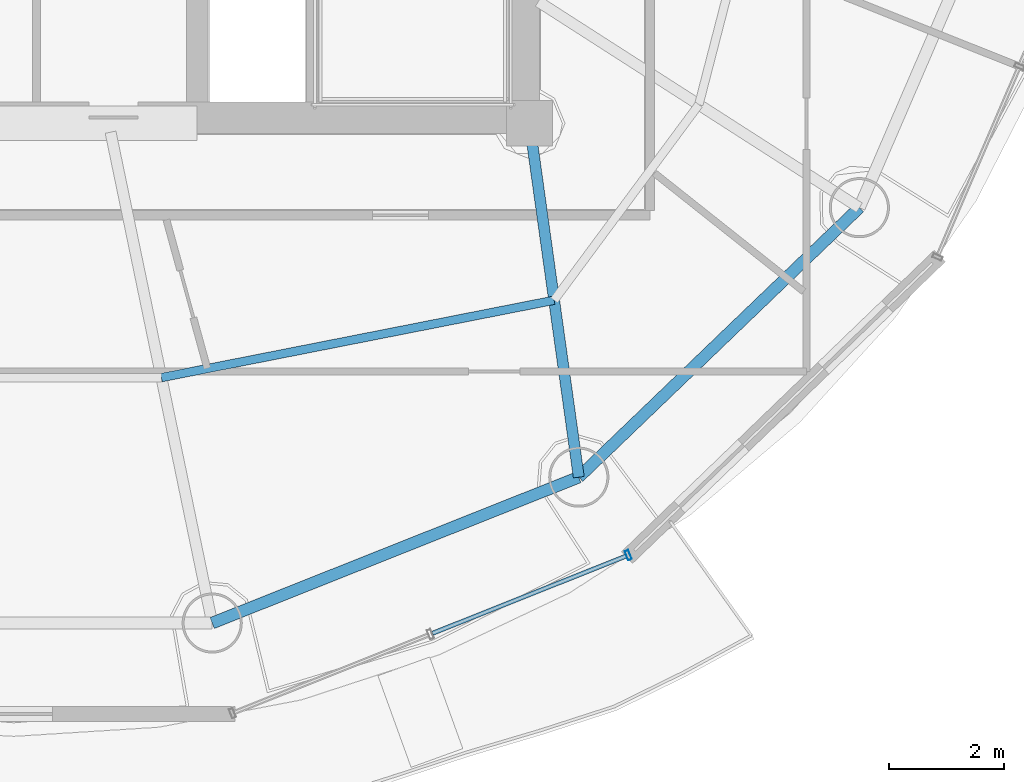
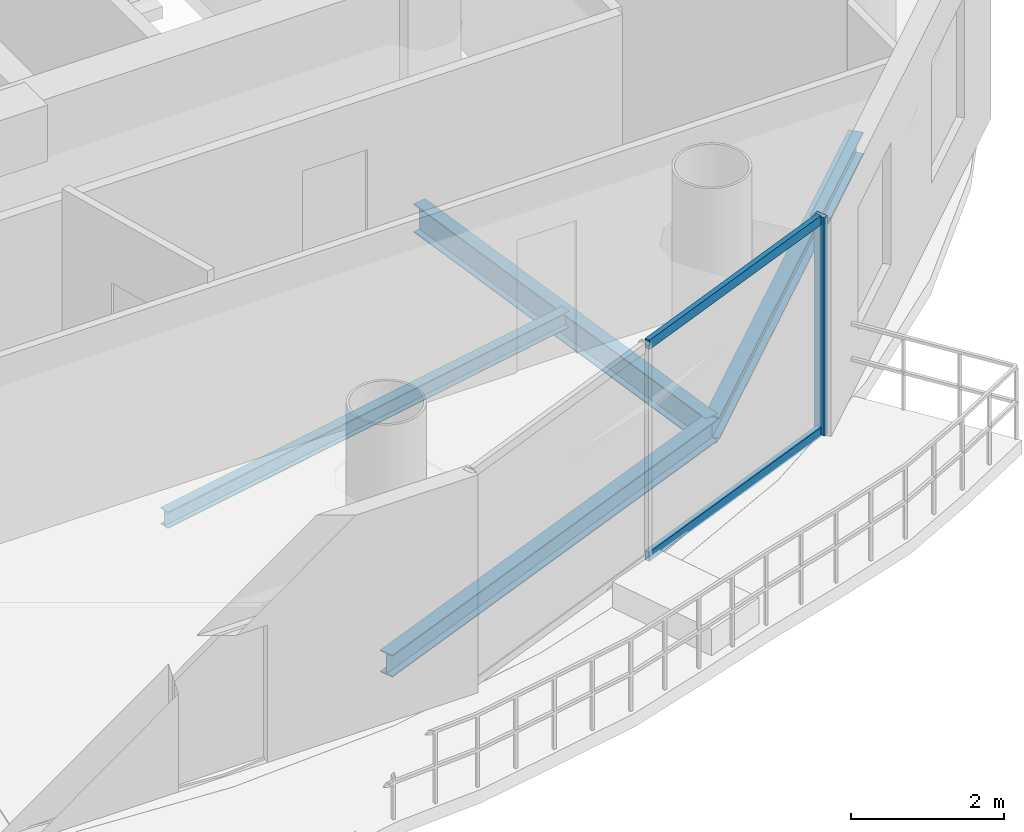
# One storey, part 6 of 22: 4 beams, 3 members, 1 element without a shape of its own.
"""IFC4 building model written with IfcOpenShell, lengths in metres."""

from ifc_helpers import new_model, si_unit, direction, frame, origin, origin_2d, place, context, subcontext, project, spatial, hollow_rectangle, i_section, extrude, source, transform, mapped, material, material_profile, profile_set, type_object, element, aggregate, save


model = new_model("IFC4")

# Units and contexts
model_context = context("Model", 3, precision=1e-05, world=origin(), true_north=direction((-0.2419218956, 0.970295726276)))
body_context = subcontext(model_context, "Body", "Model", "MODEL_VIEW")
ifc_project = project(units=[si_unit("LENGTHUNIT", "METRE"), si_unit("AREAUNIT", "SQUARE_METRE"), si_unit("VOLUMEUNIT", "CUBIC_METRE"), si_unit("PLANEANGLEUNIT", "RADIAN"), si_unit("MASSUNIT", "GRAM", prefix="KILO")], contexts=[model_context])

# Site, building, storey
site_placement = place(None, origin())
site = spatial("IfcSite", under=ifc_project, at=site_placement, CompositionType="ELEMENT")
building_placement = place(site_placement, origin())
building = spatial("IfcBuilding", under=site, at=building_placement, Name="Cobrevalo Terracotta Tower", CompositionType="ELEMENT")
storey_placement = place(building_placement, frame((0.0, 0.0, 289.449951171875)))
storey = spatial("IfcBuildingStorey", under=building, at=storey_placement, Name="L76", CompositionType="ELEMENT", Elevation=289.449951171875)

# Beams
ifc_material_1 = material(Name="Steel S355", Category="steel")
ifc_material_profile_1 = material_profile(ifc_material_1, i_section(OverallWidth=0.19091796875, OverallDepth=0.4599609375, WebThickness=0.010009765625, FlangeThickness=0.01611328125, at=origin_2d()), Name="W 460x82")
ifc_profile_set_1 = profile_set([ifc_material_profile_1], Name="Steel S355")
beam_type_1 = type_object("IfcBeamType", Name="Structural Beam W 460x82 (Steel S355)", PredefinedType="BEAM", material=ifc_profile_set_1)
beam_1_placement = place(storey_placement, frame((47.861328125, 12.62353515625, -0.489990234375), z_axis=(-0.138115657759, 0.990416107039, 0.0), x_axis=(-0.990416107039, -0.138115657759, 0.0)))
element("IfcBeam", 1, at=beam_1_placement, inside=storey, type_object=beam_type_1, Name="L76 radial floor girder 14", PredefinedType="BEAM", context=body_context, shape_type="SweptSolid", body=[
    extrude(i_section(OverallWidth=0.19091796875, OverallDepth=0.4599609375, WebThickness=0.010009765625, FlangeThickness=0.01611328125, at=origin_2d()), origin(), (0.0, 0.0, 1.0), 6.236328125),
])
ifc_material_profile_2 = material_profile(ifc_material_1, i_section(OverallWidth=0.14794921875, OverallDepth=0.26611328125, WebThickness=0.007568359375, FlangeThickness=0.012939453125, at=origin_2d()), Name="W 250x44.8")
ifc_profile_set_2 = profile_set([ifc_material_profile_2], Name="Steel S355")
beam_type_2 = type_object("IfcBeamType", Name="Structural Joist W 250x44.8 (Steel S355)", PredefinedType="JOIST", material=ifc_profile_set_2)
beam_2_placement = place(storey_placement, frame((40.57568359375, 14.361328125, -0.39306640625), z_axis=(0.981145060421, 0.193272787563, 0.0), x_axis=(-0.193272787563, 0.981145060421, 0.0)))
element("IfcBeam", 2, at=beam_2_placement, inside=storey, type_object=beam_type_2, Name="L76 circumferential secondary floor joist 13", PredefinedType="JOIST", context=body_context, shape_type="SweptSolid", body=[
    extrude(i_section(OverallWidth=0.14794921875, OverallDepth=0.26611328125, WebThickness=0.007568359375, FlangeThickness=0.012939453125, at=origin_2d()), origin(), (0.0, 0.0, 1.0), 6.98681640625),
])
ifc_material_profile_3 = material_profile(ifc_material_1, i_section(OverallWidth=0.205078125, OverallDepth=0.35400390625, WebThickness=0.009521484375, FlangeThickness=0.016845703125, at=origin_2d()), Name="W 360x79")
ifc_profile_set_3 = profile_set([ifc_material_profile_3], Name="Steel S355")
beam_type_3 = type_object("IfcBeamType", Name="Structural Spandrel W 360x79 (Steel S355)", PredefinedType="SPANDREL", material=ifc_profile_set_3)
beam_3_placement = place(storey_placement, frame((41.462890625, 10.07763671875, -0.43701171875), z_axis=(0.929149986048, 0.369702993533, 0.0), x_axis=(-0.369702993533, 0.929149986048, 0.0)))
element("IfcBeam", 3, at=beam_3_placement, inside=storey, type_object=beam_type_3, Name="L76 perimeter ring spandrel 13", PredefinedType="SPANDREL", context=body_context, shape_type="SweptSolid", body=[
    extrude(i_section(OverallWidth=0.205078125, OverallDepth=0.35400390625, WebThickness=0.009521484375, FlangeThickness=0.016845703125, at=origin_2d()), origin(), (0.0, 0.0, 1.0), 6.88623046875),
])
beam_4_placement = place(storey_placement, frame((47.861328125, 12.62353515625, -0.43701171875), z_axis=(0.721183246144, 0.692744343522, 0.0), x_axis=(-0.692744343522, 0.721183246144, 0.0)))
element("IfcBeam", 4, at=beam_4_placement, inside=storey, type_object=beam_type_3, Name="L76 perimeter ring spandrel 14", PredefinedType="SPANDREL", context=body_context, shape_type="SweptSolid", body=[
    extrude(i_section(OverallWidth=0.205078125, OverallDepth=0.35400390625, WebThickness=0.009521484375, FlangeThickness=0.016845703125, at=origin_2d()), origin(), (0.0, 0.0, 1.0), 6.79052734375),
])

# Curtain wall, members
ifc_material_2 = material(Name="Anodized aluminium", Category="aluminium")
curtain_wall_type = type_object("IfcCurtainWallType", Name="Upper-tower triple-glazed penthouse curtain wall CW-U3", PredefinedType="NOTDEFINED", material=ifc_material_2)
curtain_wall_placement = place(storey_placement, origin())
curtain_wall = element("IfcCurtainWall", 5, at=curtain_wall_placement, inside=storey, type_object=curtain_wall_type, Name="L76 curtain wall CW-L76-S13", PredefinedType="NOTDEFINED")
ifc_material_profile_4 = material_profile(ifc_material_2, hollow_rectangle(XDim=0.070068359375, YDim=0.169921875, WallThickness=0.00439453125, at=origin_2d()), Name="CWM 70x170")
ifc_profile_set_4 = profile_set([ifc_material_profile_4], Name="Anodized aluminium")
member_type_1 = type_object("IfcMemberType", Name="Upper tower unitised mullion 70x170", PredefinedType="MULLION", material=ifc_profile_set_4)
shared_shape_1 = source(origin(), body_context, "Body", "SweptSolid", [
    extrude(hollow_rectangle(XDim=0.070068359375, YDim=0.169921875, WallThickness=0.00439453125, at=origin_2d()), origin(), (0.0, 0.0, 1.0), 3.489990234375),
])
member_1_placement = place(storey_placement, frame((48.724365234375, 11.26171875, 0.0), z_axis=(0.0, 0.0, 1.0), x_axis=(0.928718980883, 0.370784377433, 0.0)))
member_1 = element("IfcMember", 6, at=member_1_placement, type_object=member_type_1, Name="CW-L76-S13 vertical mullion 03", PredefinedType="MULLION", context=body_context, shape_type="MappedRepresentation", body=[
    mapped(shared_shape_1, transform((0.0, 0.0, 0.0), scale=1.0)),
])
ifc_material_profile_5 = material_profile(ifc_material_2, hollow_rectangle(XDim=0.074951171875, YDim=0.14990234375, WallThickness=0.00439453125, at=origin_2d()), Name="CWT 75x150")
ifc_profile_set_5 = profile_set([ifc_material_profile_5], Name="Anodized aluminium")
member_type_2 = type_object("IfcMemberType", Name="Tower unitised aluminium transom 75x150", PredefinedType="USERDEFINED", material=ifc_profile_set_5)
shared_shape_2 = source(origin(), body_context, "Body", "SweptSolid", [
    extrude(hollow_rectangle(XDim=0.074951171875, YDim=0.14990234375, WallThickness=0.00439453125, at=origin_2d()), origin(), (0.0, 0.0, 1.0), 3.63916015625),
])
member_2_placement = place(storey_placement, frame((45.307373046875, 9.8974609375, 0.050048828125), z_axis=(0.928712471544, 0.370800681227, 0.0), x_axis=(-0.370800681227, 0.928712471544, 0.0)))
member_2 = element("IfcMember", 7, at=member_2_placement, type_object=member_type_2, Name="CW-L76-S13 transom B02-T1", ObjectType="TRANSOM", PredefinedType="USERDEFINED", context=body_context, shape_type="MappedRepresentation", body=[
    mapped(shared_shape_2, transform((0.0, 0.0, 0.0), scale=1.0)),
])
member_3_placement = place(storey_placement, frame((45.307373046875, 9.8974609375, 3.43994140625), z_axis=(0.928712471544, 0.370800681227, 0.0), x_axis=(-0.370800681227, 0.928712471544, 0.0)))
member_3 = element("IfcMember", 8, at=member_3_placement, type_object=member_type_2, Name="CW-L76-S13 transom B02-T2", ObjectType="TRANSOM", PredefinedType="USERDEFINED", context=body_context, shape_type="MappedRepresentation", body=[
    mapped(shared_shape_2, transform((0.0, 0.0, 0.0), scale=1.0)),
])
aggregate(curtain_wall, [member_1, member_2, member_3])

save(model, "model.ifc")
